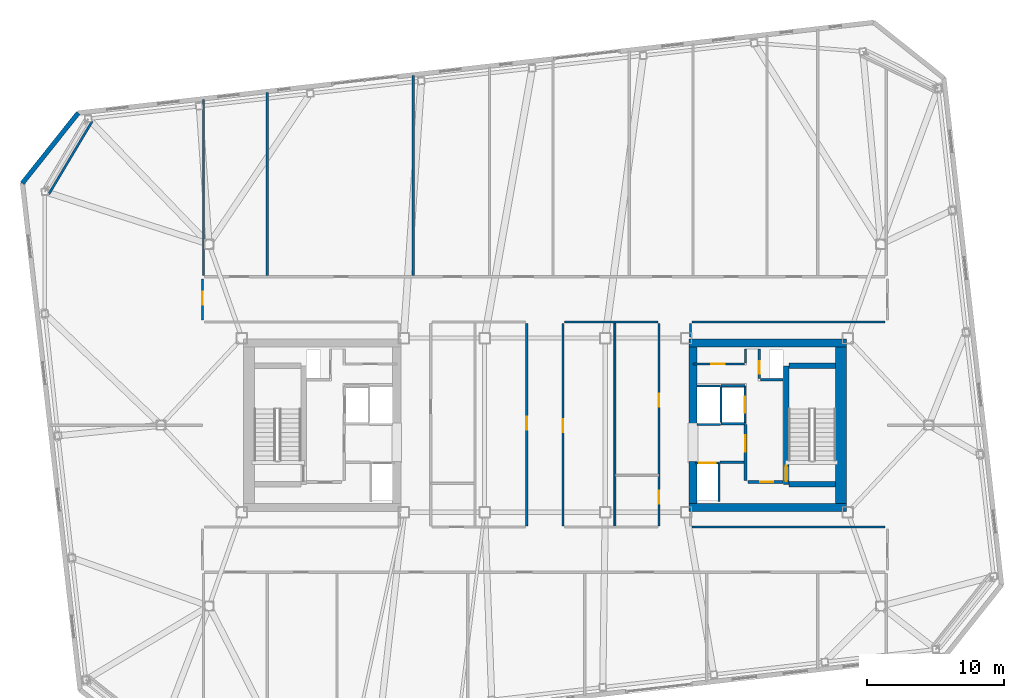
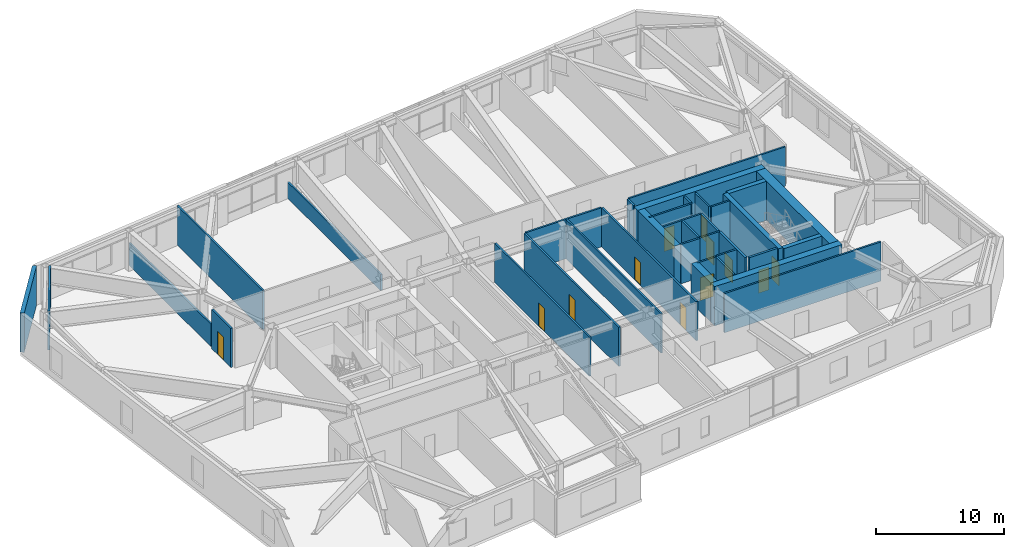
# One storey, part 13 of 18: 37 walls, 12 doors, 12 openings.
"""IFC4 building model written with IfcOpenShell, lengths in metres."""

from ifc_helpers import new_model, si_unit, direction, frame, frame_2d, origin, place, context, subcontext, project, spatial, rectangle, extrude, material, layer, layer_set, type_object, element, fill, save


model = new_model("IFC4")

# Units and contexts
model_context = context("Model", 3, precision=1e-05, world=origin(), true_north=direction((0.0, 1.0)))
body_context = subcontext(model_context, "Body", "Model", "MODEL_VIEW")
ifc_project = project(units=[si_unit("LENGTHUNIT", "METRE"), si_unit("AREAUNIT", "SQUARE_METRE"), si_unit("VOLUMEUNIT", "CUBIC_METRE"), si_unit("PLANEANGLEUNIT", "RADIAN"), si_unit("MASSUNIT", "GRAM", prefix="KILO")], contexts=[model_context])

# Site, building, storey
site_placement = place(None, origin())
site = spatial("IfcSite", under=ifc_project, at=site_placement, CompositionType="ELEMENT")
building_placement = place(site_placement, origin())
building = spatial("IfcBuilding", under=site, at=building_placement, Name="Tavrogorsk Clinical Tower", CompositionType="ELEMENT")
storey_placement = place(building_placement, frame((0.0, 0.0, 226.199951171875)))
storey = spatial("IfcBuildingStorey", under=building, at=storey_placement, Name="L52", CompositionType="ELEMENT", Elevation=226.199951171875)

# Wall, opening, door
ifc_material_1 = material(Name="Concrete B60", Category="concrete")
ifc_layer_1 = layer(ifc_material_1, 0.199951171875)
ifc_layer_set_1 = layer_set([ifc_layer_1], Name="Concrete B60")
wall_type_1 = type_object("IfcWallType", Name="CoreFireWall_200", PredefinedType="SOLIDWALL", material=ifc_layer_set_1)
wall_1_placement = place(storey_placement, frame((14.824951171875, -4.139892578125, 0.0), z_axis=(0.0, 0.0, 1.0), x_axis=(1.0, 0.0, 0.0)))
wall_1 = element("IfcWall", 1, at=wall_1_placement, inside=storey, type_object=wall_type_1, Name="L52 Core East South Core Room Fire Wall", PredefinedType="SOLIDWALL", context=body_context, shape_type="SweptSolid", body=[
    extrude(rectangle(XDim=2.554931640625, YDim=0.199951171875, at=frame_2d((1.27734375, 0.0))), origin(), (0.0, 0.0, 1.0), 3.739990234375),
])
opening_1_placement = place(wall_1_placement, frame((0.8798828125, 0.0, 0.0)))
opening_1 = element("IfcOpeningElement", 2, at=opening_1_placement, cuts=wall_1, Name="Opening ID-02", PredefinedType="OPENING", context=body_context, shape_type="SweptSolid", body=[
    extrude(rectangle(XDim=0.949951171875, YDim=2.199951171875, at=frame_2d((0.47509765625, 1.10009765625))), frame((0.0, 0.10986328125, 0.0), z_axis=(0.0, -1.0, 0.0), x_axis=(1.0, 0.0, 0.0)), (0.0, 0.0, 1.0), 0.219970703125),
])
ifc_material_2 = material(Name="Laminated timber leaf on aluminium frame", Category="wood")
door_type_1 = type_object("IfcDoorType", Name="InteriorDoor_ID02_950", OperationType="NOTDEFINED", PredefinedType="DOOR", material=ifc_material_2)
door_1_placement = place(opening_1_placement, origin())
door_1 = element("IfcDoor", 3, at=door_1_placement, inside=storey, type_object=door_type_1, Name="L52 Core East South Core Room Door", OperationType="SINGLE_SWING_RIGHT", OverallHeight=2.199951171875, OverallWidth=0.949951171875, PredefinedType="DOOR", context=body_context, shape_type="SweptSolid", body=[
    extrude(rectangle(XDim=0.949951171875, YDim=2.199951171875, at=frame_2d((0.47509765625, 1.10009765625))), frame((0.0, 0.02490234375, 0.0), z_axis=(0.0, -1.0, 0.0), x_axis=(1.0, 0.0, 0.0)), (0.0, 0.0, 1.0), 0.050048828125),
])
fill(opening_1, door_1)

wall_2_placement = place(storey_placement, frame((14.639892578125, -4.034912109375, 0.0), z_axis=(0.0, 0.0, 1.0), x_axis=(0.0, 1.0, 0.0)))
wall_2 = element("IfcWall", 4, at=wall_2_placement, inside=storey, type_object=wall_type_1, Name="L52 Core East Firefighting Lobby Fire Wall", PredefinedType="SOLIDWALL", context=body_context, shape_type="SweptSolid", body=[
    extrude(rectangle(XDim=4.074951171875, YDim=0.199951171875, at=frame_2d((2.03759765625, 0.0))), origin(), (0.0, 0.0, 1.0), 3.739990234375),
])
opening_2_placement = place(wall_2_placement, frame((2.090087890625, 0.0, 0.0)))
opening_2 = element("IfcOpeningElement", 5, at=opening_2_placement, cuts=wall_2, Name="Opening FD-01", PredefinedType="OPENING", context=body_context, shape_type="SweptSolid", body=[
    extrude(rectangle(XDim=1.199951171875, YDim=2.199951171875, at=frame_2d((0.60009765625, 1.10009765625))), frame((0.0, 0.10986328125, 0.0), z_axis=(0.0, -1.0, 0.0), x_axis=(1.0, 0.0, 0.0)), (0.0, 0.0, 1.0), 0.219970703125),
])
ifc_material_3 = material(Name="Galvanised steel fire-rated door assembly", Category="steel")
door_type_2 = type_object("IfcDoorType", Name="FireDoor_FD01_1200", OperationType="NOTDEFINED", PredefinedType="DOOR", material=ifc_material_3)
door_2_placement = place(opening_2_placement, origin())
door_2 = element("IfcDoor", 6, at=door_2_placement, inside=storey, type_object=door_type_2, Name="L52 Core East Firefighting Lobby Entry Door", OperationType="SINGLE_SWING_RIGHT", OverallHeight=2.199951171875, OverallWidth=1.199951171875, PredefinedType="DOOR", context=body_context, shape_type="SweptSolid", body=[
    extrude(rectangle(XDim=1.199951171875, YDim=2.199951171875, at=frame_2d((0.60009765625, 1.10009765625))), frame((0.0, 0.02490234375, 0.0), z_axis=(0.0, -1.0, 0.0), x_axis=(1.0, 0.0, 0.0)), (0.0, 0.0, 1.0), 0.050048828125),
])
fill(opening_2, door_2)

# Walls
ifc_material_4 = material(Name="Lightweight concrete blockwork B15", Category="masonry")
ifc_layer_2 = layer(ifc_material_4, 0.139892578125)
ifc_layer_set_2 = layer_set([ifc_layer_2], Name="Lightweight concrete blockwork B15")
wall_type_2 = type_object("IfcWallType", Name="PartitionWall_140", PredefinedType="PARTITIONING", material=ifc_layer_set_2)
wall_3_placement = place(storey_placement, frame((5.10009765625, -7.4150390625, 0.0), z_axis=(0.0, 0.0, 1.0), x_axis=(0.0, 1.0, 0.0)))
element("IfcWall", 7, at=wall_3_placement, inside=storey, type_object=wall_type_2, Name="L52 Central Spine Partition 2", PredefinedType="PARTITIONING", context=body_context, shape_type="SweptSolid", body=[
    extrude(rectangle(XDim=14.929931640625, YDim=0.139892578125, at=frame_2d((7.46484375, 0.0))), origin(), (0.0, 0.0, 1.0), 3.739990234375),
])
ifc_material_5 = material(Name="Lightweight concrete blockwork B15", Category="masonry")
ifc_layer_3 = layer(ifc_material_5, 0.159912109375)
ifc_layer_set_3 = layer_set([ifc_layer_3], Name="Lightweight concrete blockwork B15")
wall_type_3 = type_object("IfcWallType", Name="PartitionWall_160", PredefinedType="PARTITIONING", material=ifc_layer_set_3)
wall_4_placement = place(storey_placement, frame((12.77490234375, -2.699951171875, 0.0), z_axis=(0.0, 0.0, 1.0), x_axis=(1.0, 0.0, 0.0)))
element("IfcWall", 8, at=wall_4_placement, inside=storey, type_object=wall_type_3, Name="L52 Core East Freed Low-Bank North Partition", PredefinedType="PARTITIONING", context=body_context, shape_type="SweptSolid", body=[
    extrude(rectangle(XDim=1.760009765625, YDim=0.159912109375, at=frame_2d((0.8798828125, 0.0))), origin(), (0.0, 0.0, 1.0), 3.739990234375),
])

# Wall, opening, door
wall_5_placement = place(storey_placement, frame((10.800048828125, 4.4599609375, 0.0), z_axis=(0.0, 0.0, 1.0), x_axis=(1.0, 0.0, 0.0)))
wall_5 = element("IfcWall", 9, at=wall_5_placement, inside=storey, type_object=wall_type_3, Name="L52 Core East Pneumatic Dispatch South Wall", PredefinedType="PARTITIONING", context=body_context, shape_type="SweptSolid", body=[
    extrude(rectangle(XDim=3.7548828125, YDim=0.159912109375, at=frame_2d((1.87744140625, 0.0))), origin(), (0.0, 0.0, 1.0), 3.739990234375),
])
opening_3_placement = place(wall_5_placement, frame((1.35009765625, 0.0, 0.0)))
opening_3 = element("IfcOpeningElement", 10, at=opening_3_placement, cuts=wall_5, Name="Opening ID-02", PredefinedType="OPENING", context=body_context, shape_type="SweptSolid", body=[
    extrude(rectangle(XDim=0.949951171875, YDim=2.199951171875, at=frame_2d((0.47509765625, 1.10009765625))), frame((0.0, 0.08984375, 0.0), z_axis=(0.0, -1.0, 0.0), x_axis=(1.0, 0.0, 0.0)), (0.0, 0.0, 1.0), 0.179931640625),
])
door_3_placement = place(opening_3_placement, origin())
door_3 = element("IfcDoor", 11, at=door_3_placement, inside=storey, type_object=door_type_1, Name="L52 Core East Pneumatic Dispatch Door", OperationType="SINGLE_SWING_LEFT", OverallHeight=2.199951171875, OverallWidth=0.949951171875, PredefinedType="DOOR", context=body_context, shape_type="SweptSolid", body=[
    extrude(rectangle(XDim=0.949951171875, YDim=2.199951171875, at=frame_2d((0.47509765625, 1.10009765625))), frame((0.0, 0.02490234375, 0.0), z_axis=(0.0, -1.0, 0.0), x_axis=(1.0, 0.0, 0.0)), (0.0, 0.0, 1.0), 0.050048828125),
])
fill(opening_3, door_3)

# Walls
wall_6_placement = place(storey_placement, frame((14.639892578125, 4.544921875, 0.0), z_axis=(0.0, 0.0, 1.0), x_axis=(0.0, 1.0, 0.0)))
element("IfcWall", 12, at=wall_6_placement, inside=storey, type_object=wall_type_3, Name="L52 Core East Pneumatic Dispatch East Wall", PredefinedType="PARTITIONING", context=body_context, shape_type="SweptSolid", body=[
    extrude(rectangle(XDim=1.01513671875, YDim=0.159912109375, at=frame_2d((0.507568359375, 0.0))), origin(), (0.0, 0.0, 1.0), 3.739990234375),
])
wall_7_placement = place(storey_placement, frame((-33.016357421875, 22.17138671875, 0.0), z_axis=(0.0, 0.0, 1.0), x_axis=(-0.511385266265, -0.859351563359, 0.0)))
element("IfcWall", 13, at=wall_7_placement, inside=storey, type_object=wall_type_3, Name="L52 Corner Exoskeleton Brace Furring Wall 3", PredefinedType="PARTITIONING", context=body_context, shape_type="SweptSolid", body=[
    extrude(rectangle(XDim=6.181884765625, YDim=0.159912109375, at=frame_2d((3.0908203125, 0.0))), origin(), (0.0, 0.0, 1.0), 3.739990234375),
])

# Wall, opening, door
wall_8_placement = place(storey_placement, frame((-24.97998046875, 7.68505859375, 0.0), z_axis=(0.0, 0.0, 1.0), x_axis=(0.0, 1.0, 0.0)))
wall_8 = element("IfcWall", 14, at=wall_8_placement, inside=storey, type_object=wall_type_3, Name="L52 Corridor Partition 06", PredefinedType="PARTITIONING", context=body_context, shape_type="SweptSolid", body=[
    extrude(rectangle(XDim=2.97998046875, YDim=0.159912109375, at=frame_2d((1.489990234375, 0.0))), origin(), (0.0, 0.0, 1.0), 3.739990234375),
])
opening_4_placement = place(wall_8_placement, frame((1.10009765625, 0.0, 0.0)))
opening_4 = element("IfcOpeningElement", 15, at=opening_4_placement, cuts=wall_8, Name="Opening ID-02", PredefinedType="OPENING", context=body_context, shape_type="SweptSolid", body=[
    extrude(rectangle(XDim=0.949951171875, YDim=2.199951171875, at=frame_2d((0.47509765625, 1.10009765625))), frame((0.0, 0.08984375, 0.0), z_axis=(0.0, -1.0, 0.0), x_axis=(1.0, 0.0, 0.0)), (0.0, 0.0, 1.0), 0.179931640625),
])
door_4_placement = place(opening_4_placement, origin())
door_4 = element("IfcDoor", 16, at=door_4_placement, inside=storey, type_object=door_type_1, Name="L52 W Rehabilitation Therapy Suite 2 Door", OperationType="SINGLE_SWING_RIGHT", OverallHeight=2.199951171875, OverallWidth=0.949951171875, PredefinedType="DOOR", context=body_context, shape_type="SweptSolid", body=[
    extrude(rectangle(XDim=0.949951171875, YDim=2.199951171875, at=frame_2d((0.47509765625, 1.10009765625))), frame((0.0, 0.02490234375, 0.0), z_axis=(0.0, -1.0, 0.0), x_axis=(1.0, 0.0, 0.0)), (0.0, 0.0, 1.0), 0.050048828125),
])
fill(opening_4, door_4)

# Walls
wall_9_placement = place(storey_placement, frame((24.81494140625, 7.52001953125, 0.0), z_axis=(0.0, 0.0, 1.0), x_axis=(-1.0, 0.0, 0.0)))
element("IfcWall", 17, at=wall_9_placement, inside=storey, type_object=wall_type_3, Name="L52 Corridor Partition 09", PredefinedType="PARTITIONING", context=body_context, shape_type="SweptSolid", body=[
    extrude(rectangle(XDim=14.099853515625, YDim=0.159912109375, at=frame_2d((7.0498046875, 0.0))), origin(), (0.0, 0.0, 1.0), 3.739990234375),
])
wall_10_placement = place(storey_placement, frame((10.6298828125, 7.43505859375, 0.0), z_axis=(0.0, 0.0, 1.0), x_axis=(0.0, -1.0, 0.0)))
element("IfcWall", 18, at=wall_10_placement, inside=storey, type_object=wall_type_3, Name="L52 Corridor Partition 10", PredefinedType="PARTITIONING", context=body_context, shape_type="SweptSolid", body=[
    extrude(rectangle(XDim=1.01513671875, YDim=0.159912109375, at=frame_2d((0.507568359375, 0.0))), origin(), (0.0, 0.0, 1.0), 3.739990234375),
])
wall_11_placement = place(storey_placement, frame((10.715087890625, -7.419921875, 0.0), z_axis=(0.0, 0.0, 1.0), x_axis=(1.0, 0.0, 0.0)))
element("IfcWall", 19, at=wall_11_placement, inside=storey, type_object=wall_type_3, Name="L52 Corridor Partition 12", PredefinedType="PARTITIONING", context=body_context, shape_type="SweptSolid", body=[
    extrude(rectangle(XDim=14.099853515625, YDim=0.159912109375, at=frame_2d((7.0498046875, 0.0))), origin(), (0.0, 0.0, 1.0), 3.739990234375),
])
wall_12_placement = place(storey_placement, frame((8.235107421875, 7.52001953125, 0.0), z_axis=(0.0, 0.0, 1.0), x_axis=(-1.0, 0.0, 0.0)))
element("IfcWall", 20, at=wall_12_placement, inside=storey, type_object=wall_type_3, Name="L52 Corridor Partition 15", PredefinedType="PARTITIONING", context=body_context, shape_type="SweptSolid", body=[
    extrude(rectangle(XDim=6.820068359375, YDim=0.159912109375, at=frame_2d((3.41015625, 0.0))), origin(), (0.0, 0.0, 1.0), 3.739990234375),
])

# Wall, opening, door
wall_13_placement = place(storey_placement, frame((1.330078125, 7.43505859375, 0.0), z_axis=(0.0, 0.0, 1.0), x_axis=(0.0, -1.0, 0.0)))
wall_13 = element("IfcWall", 21, at=wall_13_placement, inside=storey, type_object=wall_type_3, Name="L52 Corridor Partition 16", PredefinedType="PARTITIONING", context=body_context, shape_type="SweptSolid", body=[
    extrude(rectangle(XDim=14.77001953125, YDim=0.159912109375, at=frame_2d((7.385009765625, 0.0))), origin(), (0.0, 0.0, 1.0), 3.739990234375),
])
opening_5_placement = place(wall_13_placement, frame((6.9951171875, 0.0, 0.0)))
opening_5 = element("IfcOpeningElement", 22, at=opening_5_placement, cuts=wall_13, Name="Opening ID-02", PredefinedType="OPENING", context=body_context, shape_type="SweptSolid", body=[
    extrude(rectangle(XDim=0.949951171875, YDim=2.199951171875, at=frame_2d((0.47509765625, 1.10009765625))), frame((0.0, 0.08984375, 0.0), z_axis=(0.0, -1.0, 0.0), x_axis=(1.0, 0.0, 0.0)), (0.0, 0.0, 1.0), 0.179931640625),
])
door_5_placement = place(opening_5_placement, origin())
door_5 = element("IfcDoor", 23, at=door_5_placement, inside=storey, type_object=door_type_1, Name="L52 Clean Medication Preparation Room Door", OperationType="SINGLE_SWING_RIGHT", OverallHeight=2.199951171875, OverallWidth=0.949951171875, PredefinedType="DOOR", context=body_context, shape_type="SweptSolid", body=[
    extrude(rectangle(XDim=0.949951171875, YDim=2.199951171875, at=frame_2d((0.47509765625, 1.10009765625))), frame((0.0, 0.02490234375, 0.0), z_axis=(0.0, -1.0, 0.0), x_axis=(1.0, 0.0, 0.0)), (0.0, 0.0, 1.0), 0.050048828125),
])
fill(opening_5, door_5)

# Wall, openings, doors
wall_14_placement = place(storey_placement, frame((8.320068359375, -7.3349609375, 0.0), z_axis=(0.0, 0.0, 1.0), x_axis=(0.0, 1.0, 0.0)))
wall_14 = element("IfcWall", 24, at=wall_14_placement, inside=storey, type_object=wall_type_3, Name="L52 Corridor Partition 18", PredefinedType="PARTITIONING", context=body_context, shape_type="SweptSolid", body=[
    extrude(rectangle(XDim=14.77001953125, YDim=0.159912109375, at=frame_2d((7.385009765625, 0.0))), origin(), (0.0, 0.0, 1.0), 3.739990234375),
])
opening_6_placement = place(wall_14_placement, frame((1.60400390625, 0.0, 0.0)))
opening_6 = element("IfcOpeningElement", 25, at=opening_6_placement, cuts=wall_14, Name="Opening ID-02", PredefinedType="OPENING", context=body_context, shape_type="SweptSolid", body=[
    extrude(rectangle(XDim=0.949951171875, YDim=2.199951171875, at=frame_2d((0.47509765625, 1.10009765625))), frame((0.0, 0.08984375, 0.0), z_axis=(0.0, -1.0, 0.0), x_axis=(1.0, 0.0, 0.0)), (0.0, 0.0, 1.0), 0.179931640625),
])
opening_7_placement = place(wall_14_placement, frame((8.685791015625, 0.0, 0.0)))
opening_7 = element("IfcOpeningElement", 26, at=opening_7_placement, cuts=wall_14, Name="Opening ID-02", PredefinedType="OPENING", context=body_context, shape_type="SweptSolid", body=[
    extrude(rectangle(XDim=0.949951171875, YDim=2.199951171875, at=frame_2d((0.47509765625, 1.10009765625))), frame((0.0, 0.08984375, 0.0), z_axis=(0.0, -1.0, 0.0), x_axis=(1.0, 0.0, 0.0)), (0.0, 0.0, 1.0), 0.179931640625),
])
door_6_placement = place(opening_6_placement, origin())
door_6 = element("IfcDoor", 27, at=door_6_placement, inside=storey, type_object=door_type_1, Name="L52 Staff & Visitor Accessible WC Door", OperationType="SINGLE_SWING_LEFT", OverallHeight=2.199951171875, OverallWidth=0.949951171875, PredefinedType="DOOR", context=body_context, shape_type="SweptSolid", body=[
    extrude(rectangle(XDim=0.949951171875, YDim=2.199951171875, at=frame_2d((0.47509765625, 1.10009765625))), frame((0.0, 0.02490234375, 0.0), z_axis=(0.0, -1.0, 0.0), x_axis=(1.0, 0.0, 0.0)), (0.0, 0.0, 1.0), 0.050048828125),
])
fill(opening_6, door_6)
door_7_placement = place(opening_7_placement, origin())
door_7 = element("IfcDoor", 28, at=door_7_placement, inside=storey, type_object=door_type_1, Name="L52 Resident Clinician Study Door", OperationType="SINGLE_SWING_RIGHT", OverallHeight=2.199951171875, OverallWidth=0.949951171875, PredefinedType="DOOR", context=body_context, shape_type="SweptSolid", body=[
    extrude(rectangle(XDim=0.949951171875, YDim=2.199951171875, at=frame_2d((0.47509765625, 1.10009765625))), frame((0.0, 0.02490234375, 0.0), z_axis=(0.0, -1.0, 0.0), x_axis=(1.0, 0.0, 0.0)), (0.0, 0.0, 1.0), 0.050048828125),
])
fill(opening_7, door_7)

# Wall, opening, door
wall_15_placement = place(storey_placement, frame((-1.330078125, -7.3349609375, 0.0), z_axis=(0.0, 0.0, 1.0), x_axis=(0.0, 1.0, 0.0)))
wall_15 = element("IfcWall", 29, at=wall_15_placement, inside=storey, type_object=wall_type_3, Name="L52 Corridor Partition 19", PredefinedType="PARTITIONING", context=body_context, shape_type="SweptSolid", body=[
    extrude(rectangle(XDim=14.77001953125, YDim=0.159912109375, at=frame_2d((7.385009765625, 0.0))), origin(), (0.0, 0.0, 1.0), 3.739990234375),
])
opening_8_placement = place(wall_15_placement, frame((6.9951171875, 0.0, 0.0)))
opening_8 = element("IfcOpeningElement", 30, at=opening_8_placement, cuts=wall_15, Name="Opening ID-02", PredefinedType="OPENING", context=body_context, shape_type="SweptSolid", body=[
    extrude(rectangle(XDim=0.949951171875, YDim=2.199951171875, at=frame_2d((0.47509765625, 1.10009765625))), frame((0.0, 0.08984375, 0.0), z_axis=(0.0, -1.0, 0.0), x_axis=(1.0, 0.0, 0.0)), (0.0, 0.0, 1.0), 0.179931640625),
])
door_8_placement = place(opening_8_placement, origin())
door_8 = element("IfcDoor", 31, at=door_8_placement, inside=storey, type_object=door_type_1, Name="L52 Nurses' Station & Telemetry Hub Door", OperationType="SINGLE_SWING_LEFT", OverallHeight=2.199951171875, OverallWidth=0.949951171875, PredefinedType="DOOR", context=body_context, shape_type="SweptSolid", body=[
    extrude(rectangle(XDim=0.949951171875, YDim=2.199951171875, at=frame_2d((0.47509765625, 1.10009765625))), frame((0.0, 0.02490234375, 0.0), z_axis=(0.0, -1.0, 0.0), x_axis=(1.0, 0.0, 0.0)), (0.0, 0.0, 1.0), 0.050048828125),
])
fill(opening_8, door_8)

# Walls
wall_16_placement = place(storey_placement, frame((-24.89990234375, 10.9150390625, 0.0), z_axis=(0.0, 0.0, 1.0), x_axis=(0.0, 1.0, 0.0)))
element("IfcWall", 32, at=wall_16_placement, inside=storey, type_object=wall_type_3, Name="L52 NW Wing Closure Partition", PredefinedType="PARTITIONING", context=body_context, shape_type="SweptSolid", body=[
    extrude(rectangle(XDim=12.831298828125, YDim=0.159912109375, at=frame_2d((6.41552734375, 0.0))), origin(), (0.0, 0.0, 1.0), 2.135009765625),
])
wall_17_placement = place(storey_placement, frame((-20.25, 10.9150390625, 0.0), z_axis=(0.0, 0.0, 1.0), x_axis=(0.0, 1.0, 0.0)))
element("IfcWall", 33, at=wall_17_placement, inside=storey, type_object=wall_type_3, Name="L52 North Room Partition 1", PredefinedType="PARTITIONING", context=body_context, shape_type="SweptSolid", body=[
    extrude(rectangle(XDim=13.361083984375, YDim=0.159912109375, at=frame_2d((6.6806640625, 0.0))), origin(), (0.0, 0.0, 1.0), 3.739990234375),
])
wall_18_placement = place(storey_placement, frame((-9.60009765625, 10.9150390625, 0.0), z_axis=(0.0, 0.0, 1.0), x_axis=(0.0, 1.0, 0.0)))
element("IfcWall", 34, at=wall_18_placement, inside=storey, type_object=wall_type_3, Name="L52 North Room Partition 2", PredefinedType="PARTITIONING", context=body_context, shape_type="SweptSolid", body=[
    extrude(rectangle(XDim=14.574462890625, YDim=0.159912109375, at=frame_2d((7.287109375, 0.0))), origin(), (0.0, 0.0, 1.0), 1.53515625),
])
ifc_material_6 = material(Name="Precast concrete B45 with limestone cladding", Category="masonry")
ifc_layer_4 = layer(ifc_material_6, 0.340087890625)
ifc_layer_set_4 = layer_set([ifc_layer_4], Name="Precast concrete B45 with limestone cladding")
wall_type_4 = type_object("IfcWallType", Name="PrecastLimestoneWall_340", PredefinedType="STANDARD", material=ifc_layer_set_4)
wall_19_placement = place(storey_placement, frame((-34.0419921875, 22.775146484375, 0.0), z_axis=(0.0, 0.0, 1.0), x_axis=(-0.62252823689, -0.78259733853, 0.0)))
element("IfcWall", 35, at=wall_19_placement, inside=storey, type_object=wall_type_4, Name="L52 Chamfered Corner Wall 3", PredefinedType="STANDARD", context=body_context, shape_type="SweptSolid", body=[
    extrude(rectangle(XDim=6.5478515625, YDim=0.340087890625, at=frame_2d((3.27392578125, 0.0))), origin(), (0.0, 0.0, 1.0), 3.739990234375),
])

# Wall, opening, door
ifc_material_7 = material(Name="Lightweight concrete blockwork B25", Category="masonry")
ifc_layer_5 = layer(ifc_material_7, 0.159912109375)
ifc_layer_set_5 = layer_set([ifc_layer_5], Name="Lightweight concrete blockwork B25")
wall_type_5 = type_object("IfcWallType", Name="ShaftWall_160", PredefinedType="PARTITIONING", material=ifc_layer_set_5)
wall_20_placement = place(storey_placement, frame((14.60009765625, 0.1201171875, 0.0), z_axis=(0.0, 0.0, 1.0), x_axis=(0.0, 1.0, 0.0)))
wall_20 = element("IfcWall", 36, at=wall_20_placement, inside=storey, type_object=wall_type_5, Name="L52 FFL-E Firefighting Lift Front Wall", PredefinedType="PARTITIONING", context=body_context, shape_type="SweptSolid", body=[
    extrude(rectangle(XDim=2.739990234375, YDim=0.159912109375, at=frame_2d((1.3701171875, 0.0))), origin(), (0.0, 0.0, 1.0), 3.739990234375),
])
opening_9_placement = place(wall_20_placement, frame((0.77001953125, 0.0, 0.0)))
opening_9 = element("IfcOpeningElement", 37, at=opening_9_placement, cuts=wall_20, Name="Opening LD", PredefinedType="OPENING", context=body_context, shape_type="SweptSolid", body=[
    extrude(rectangle(XDim=1.199951171875, YDim=2.199951171875, at=frame_2d((0.60009765625, 1.10009765625))), frame((0.0, 0.08984375, 0.0), z_axis=(0.0, -1.0, 0.0), x_axis=(1.0, 0.0, 0.0)), (0.0, 0.0, 1.0), 0.179931640625),
])
ifc_material_8 = material(Name="Brushed stainless steel AISI 304 sliding doors", Category="steel")
door_type_3 = type_object("IfcDoorType", Name="LiftLandingDoor_LD_1200", OperationType="SLIDING_TO_LEFT", PredefinedType="DOOR", material=ifc_material_8)
door_9_placement = place(opening_9_placement, origin())
door_9 = element("IfcDoor", 38, at=door_9_placement, inside=storey, type_object=door_type_3, Name="L52 FFL-E Sliding Lift Landing Door", OperationType="SLIDING_TO_LEFT", OverallHeight=2.199951171875, OverallWidth=1.199951171875, PredefinedType="DOOR", context=body_context, shape_type="SweptSolid", body=[
    extrude(rectangle(XDim=1.199951171875, YDim=2.199951171875, at=frame_2d((0.60009765625, 1.10009765625))), frame((0.0, 0.02490234375, 0.0), z_axis=(0.0, -1.0, 0.0), x_axis=(1.0, 0.0, 0.0)), (0.0, 0.0, 1.0), 0.050048828125),
])
fill(opening_9, door_9)

# Walls
for number, where, z_axis, x_axis, name in (
    (39, (12.840087890625, 0.10009765625, 0.0), (0.0, 0.0, 1.0), (1.0, 0.0, 0.0), "L52 FFL-E Shaft South Wall"),
    (40, (12.840087890625, 2.8798828125, 0.0), (0.0, 0.0, 1.0), (1.0, 0.0, 0.0), "L52 FFL-E Shaft North Wall"),
):
    element("IfcWall", number, at=place(storey_placement, frame(where, z_axis=z_axis, x_axis=x_axis)), inside=storey, type_object=wall_type_5, Name=name, PredefinedType="PARTITIONING", context=body_context, shape_type="SweptSolid", body=[
        extrude(rectangle(XDim=1.760009765625, YDim=0.159912109375, at=frame_2d((0.8798828125, 0.0))), origin(), (0.0, 0.0, 1.0), 3.739990234375),
    ])
wall_21_placement = place(storey_placement, frame((12.840087890625, 0.179931640625, 0.0), z_axis=(0.0, 0.0, 1.0), x_axis=(0.0, 1.0, 0.0)))
element("IfcWall", 41, at=wall_21_placement, inside=storey, type_object=wall_type_5, Name="L52 FFL-E Shaft Back Wall", PredefinedType="PARTITIONING", context=body_context, shape_type="SweptSolid", body=[
    extrude(rectangle(XDim=2.6201171875, YDim=0.159912109375, at=frame_2d((1.31005859375, 0.0))), origin(), (0.0, 0.0, 1.0), 3.739990234375),
])

# Wall, opening, door
wall_22_placement = place(storey_placement, frame((10.969970703125, -2.75, 0.0), z_axis=(0.0, 0.0, 1.0), x_axis=(1.0, 0.0, 0.0)))
wall_22 = element("IfcWall", 42, at=wall_22_placement, inside=storey, type_object=wall_type_5, Name="L52 LP-M2 Lift Shaft Portal Wall", PredefinedType="PARTITIONING", context=body_context, shape_type="SweptSolid", body=[
    extrude(rectangle(XDim=1.760009765625, YDim=0.159912109375, at=frame_2d((0.8798828125, 0.0))), origin(), (0.0, 0.0, 1.0), 3.739990234375),
])
opening_10_placement = place(wall_22_placement, frame((0.280029296875, 0.0, 0.0)))
opening_10 = element("IfcOpeningElement", 43, at=opening_10_placement, cuts=wall_22, Name="Opening LD", PredefinedType="OPENING", context=body_context, shape_type="SweptSolid", body=[
    extrude(rectangle(XDim=1.199951171875, YDim=2.199951171875, at=frame_2d((0.60009765625, 1.10009765625))), frame((0.0, 0.08984375, 0.0), z_axis=(0.0, -1.0, 0.0), x_axis=(1.0, 0.0, 0.0)), (0.0, 0.0, 1.0), 0.179931640625),
])
door_10_placement = place(opening_10_placement, origin())
door_10 = element("IfcDoor", 44, at=door_10_placement, inside=storey, type_object=door_type_3, Name="L52 LP-M2 Sliding Lift Landing Door", OperationType="SLIDING_TO_LEFT", OverallHeight=2.199951171875, OverallWidth=1.199951171875, PredefinedType="DOOR", context=body_context, shape_type="SweptSolid", body=[
    extrude(rectangle(XDim=1.199951171875, YDim=2.199951171875, at=frame_2d((0.60009765625, 1.10009765625))), frame((0.0, 0.02490234375, 0.0), z_axis=(0.0, -1.0, 0.0), x_axis=(1.0, 0.0, 0.0)), (0.0, 0.0, 1.0), 0.050048828125),
])
fill(opening_10, door_10)

# Walls
for number, where, z_axis, x_axis, name in (
    (45, (11.10009765625, 0.06005859375, 0.0), (0.0, 0.0, 1.0), (1.0, 0.0, 0.0), "L52 LP-H2 High-Zone Lift Portal Wall"),
    (46, (11.10009765625, 2.860107421875, 0.0), (0.0, 0.0, 1.0), (1.0, 0.0, 0.0), "L52 LP-H2 High-Zone Lift Rear Wall"),
):
    element("IfcWall", number, at=place(storey_placement, frame(where, z_axis=z_axis, x_axis=x_axis)), inside=storey, type_object=wall_type_5, Name=name, PredefinedType="PARTITIONING", context=body_context, shape_type="SweptSolid", body=[
        extrude(rectangle(XDim=1.719970703125, YDim=0.159912109375, at=frame_2d((0.85986328125, 0.0))), origin(), (0.0, 0.0, 1.0), 3.739990234375),
    ])

# Wall, opening, door
wall_23_placement = place(storey_placement, frame((15.639892578125, 3.405029296875, 0.0), z_axis=(0.0, 0.0, 1.0), x_axis=(0.0, 1.0, 0.0)))
wall_23 = element("IfcWall", 47, at=wall_23_placement, inside=storey, type_object=wall_type_5, Name="L52 Core East Riser West Wall", PredefinedType="PARTITIONING", context=body_context, shape_type="SweptSolid", body=[
    extrude(rectangle(XDim=2.155029296875, YDim=0.159912109375, at=frame_2d((1.07763671875, 0.0))), origin(), (0.0, 0.0, 1.0), 3.739990234375),
])
opening_11_placement = place(wall_23_placement, frame((0.35009765625, 0.0, 0.0)))
opening_11 = element("IfcOpeningElement", 48, at=opening_11_placement, cuts=wall_23, Name="Opening FD-02", PredefinedType="OPENING", context=body_context, shape_type="SweptSolid", body=[
    extrude(rectangle(XDim=0.89990234375, YDim=2.199951171875, at=frame_2d((0.449951171875, 1.10009765625))), frame((0.0, 0.08984375, 0.0), z_axis=(0.0, -1.0, 0.0), x_axis=(1.0, 0.0, 0.0)), (0.0, 0.0, 1.0), 0.179931640625),
])
ifc_material_9 = material(Name="Galvanised steel fire-rated door assembly", Category="steel")
door_type_4 = type_object("IfcDoorType", Name="FireDoor_FD02_900", OperationType="NOTDEFINED", PredefinedType="DOOR", material=ifc_material_9)
door_11_placement = place(opening_11_placement, origin())
door_11 = element("IfcDoor", 49, at=door_11_placement, inside=storey, type_object=door_type_4, Name="L52 Core East Electrical Riser Access Door", OperationType="SINGLE_SWING_LEFT", OverallHeight=2.199951171875, OverallWidth=0.89990234375, PredefinedType="DOOR", context=body_context, shape_type="SweptSolid", body=[
    extrude(rectangle(XDim=0.89990234375, YDim=2.199951171875, at=frame_2d((0.449951171875, 1.10009765625))), frame((0.0, 0.02490234375, 0.0), z_axis=(0.0, -1.0, 0.0), x_axis=(1.0, 0.0, 0.0)), (0.0, 0.0, 1.0), 0.050048828125),
])
fill(opening_11, door_11)

# Walls
wall_24_placement = place(storey_placement, frame((15.72509765625, 3.320068359375, 0.0), z_axis=(0.0, 0.0, 1.0), x_axis=(1.0, 0.0, 0.0)))
element("IfcWall", 50, at=wall_24_placement, inside=storey, type_object=wall_type_5, Name="L52 Core East Riser South Wall", PredefinedType="PARTITIONING", context=body_context, shape_type="SweptSolid", body=[
    extrude(rectangle(XDim=1.65478515625, YDim=0.159912109375, at=frame_2d((0.827392578125, 0.0))), origin(), (0.0, 0.0, 1.0), 3.739990234375),
])
wall_25_placement = place(storey_placement, frame((12.68994140625, -5.56005859375, 0.0), z_axis=(0.0, 0.0, 1.0), x_axis=(0.0, 1.0, 0.0)))
element("IfcWall", 51, at=wall_25_placement, inside=storey, type_object=wall_type_5, Name="L52 Core East Freed Low-Bank Shaft Divider", PredefinedType="PARTITIONING", context=body_context, shape_type="SweptSolid", body=[
    extrude(rectangle(XDim=2.775146484375, YDim=0.159912109375, at=frame_2d((1.3876953125, 0.0))), origin(), (0.0, 0.0, 1.0), 3.739990234375),
])

# Wall, opening, door
ifc_material_10 = material(Name="Concrete B80", Category="concrete")
ifc_layer_6 = layer(ifc_material_10, 0.39990234375)
ifc_layer_set_6 = layer_set([ifc_layer_6], Name="Concrete B80")
wall_type_6 = type_object("IfcWallType", Name="ShearWall_400", PredefinedType="SHEAR", material=ifc_layer_set_6)
wall_26_placement = place(storey_placement, frame((17.60009765625, -4.324951171875, 0.0), z_axis=(0.0, 0.0, 1.0), x_axis=(0.0, 1.0, 0.0)))
wall_26 = element("IfcWall", 52, at=wall_26_placement, inside=storey, type_object=wall_type_6, Name="L52 Core East Stair Shaft Inner Shear Wall", PredefinedType="SHEAR", context=body_context, shape_type="SweptSolid", body=[
    extrude(rectangle(XDim=8.64990234375, YDim=0.39990234375, at=frame_2d((4.324951171875, 0.0))), origin(), (0.0, 0.0, 1.0), 3.739990234375),
])
opening_12_placement = place(wall_26_placement, frame((0.25, 0.0, 0.0)))
opening_12 = element("IfcOpeningElement", 53, at=opening_12_placement, cuts=wall_26, Name="Opening SD-01", PredefinedType="OPENING", context=body_context, shape_type="SweptSolid", body=[
    extrude(rectangle(XDim=1.10009765625, YDim=2.199951171875, at=frame_2d((0.550048828125, 1.10009765625))), frame((0.0, 0.2099609375, 0.0), z_axis=(0.0, -1.0, 0.0), x_axis=(1.0, 0.0, 0.0)), (0.0, 0.0, 1.0), 0.419921875),
])
ifc_material_11 = material(Name="Galvanised steel smoke-tight fire door assembly", Category="steel")
door_type_5 = type_object("IfcDoorType", Name="StairFireDoor_SD01_1100", OperationType="NOTDEFINED", PredefinedType="DOOR", material=ifc_material_11)
door_12_placement = place(opening_12_placement, origin())
door_12 = element("IfcDoor", 54, at=door_12_placement, inside=storey, type_object=door_type_5, Name="L52 ST-E Exit Stair Door", OperationType="SINGLE_SWING_RIGHT", OverallHeight=2.199951171875, OverallWidth=1.10009765625, PredefinedType="DOOR", context=body_context, shape_type="SweptSolid", body=[
    extrude(rectangle(XDim=1.10009765625, YDim=2.199951171875, at=frame_2d((0.550048828125, 1.10009765625))), frame((0.0, 0.02490234375, 0.0), z_axis=(0.0, -1.0, 0.0), x_axis=(1.0, 0.0, 0.0)), (0.0, 0.0, 1.0), 0.050048828125),
])
fill(opening_12, door_12)

# Walls
for number, where, z_axis, x_axis, name in (
    (55, (17.800048828125, -4.324951171875, 0.0), (0.0, 0.0, 1.0), (1.0, 0.0, 0.0), "L52 Core East Stair Shaft South Shear Wall"),
    (56, (17.800048828125, 4.324951171875, 0.0), (0.0, 0.0, 1.0), (1.0, 0.0, 0.0), "L52 Core East Stair Shaft North Shear Wall"),
):
    element("IfcWall", number, at=place(storey_placement, frame(where, z_axis=z_axis, x_axis=x_axis)), inside=storey, type_object=wall_type_6, Name=name, PredefinedType="SHEAR", context=body_context, shape_type="SweptSolid", body=[
        extrude(rectangle(XDim=3.39990234375, YDim=0.39990234375, at=frame_2d((1.699951171875, 0.0))), origin(), (0.0, 0.0, 1.0), 3.739990234375),
    ])
ifc_material_12 = material(Name="Concrete B80", Category="concrete")
ifc_layer_7 = layer(ifc_material_12, 0.60009765625)
ifc_layer_set_7 = layer_set([ifc_layer_7], Name="Concrete B80")
wall_type_7 = type_object("IfcWallType", Name="ShearWall_600", PredefinedType="SHEAR", material=ifc_layer_set_7)
for number, where, z_axis, x_axis, name in (
    (57, (10.5, 6.0, 0.0), (0.0, 0.0, 1.0), (1.0, 0.0, 0.0), "L52 Core East North Shear Wall"),
    (58, (10.5, -6.0, 0.0), (0.0, 0.0, 1.0), (1.0, 0.0, 0.0), "L52 Core East South Shear Wall"),
):
    element("IfcWall", number, at=place(storey_placement, frame(where, z_axis=z_axis, x_axis=x_axis)), inside=storey, type_object=wall_type_7, Name=name, PredefinedType="SHEAR", context=body_context, shape_type="SweptSolid", body=[
        extrude(rectangle(XDim=11.5, YDim=0.60009765625, at=frame_2d((5.75, 0.0))), origin(), (0.0, 0.0, 1.0), 3.739990234375),
    ])
wall_27_placement = place(storey_placement, frame((10.800048828125, -5.699951171875, 0.0), z_axis=(0.0, 0.0, 1.0), x_axis=(0.0, 1.0, 0.0)))
element("IfcWall", 59, at=wall_27_placement, inside=storey, type_object=wall_type_7, Name="L52 Core East Inner South Pier", PredefinedType="SHEAR", context=body_context, shape_type="SweptSolid", body=[
    extrude(rectangle(XDim=3.050048828125, YDim=0.60009765625, at=frame_2d((1.52490234375, 0.0))), origin(), (0.0, 0.0, 1.0), 3.739990234375),
])
wall_28_placement = place(storey_placement, frame((10.800048828125, 0.050048828125, 0.0), z_axis=(0.0, 0.0, 1.0), x_axis=(0.0, 1.0, 0.0)))
element("IfcWall", 60, at=wall_28_placement, inside=storey, type_object=wall_type_7, Name="L52 Core East Inner North Pier", PredefinedType="SHEAR", context=body_context, shape_type="SweptSolid", body=[
    extrude(rectangle(XDim=5.64990234375, YDim=0.60009765625, at=frame_2d((2.824951171875, 0.0))), origin(), (0.0, 0.0, 1.0), 3.739990234375),
])
ifc_material_13 = material(Name="Concrete B80", Category="concrete")
ifc_layer_8 = layer(ifc_material_13, 0.800048828125)
ifc_layer_set_8 = layer_set([ifc_layer_8], Name="Concrete B80")
wall_type_8 = type_object("IfcWallType", Name="ShearWall_800", PredefinedType="SHEAR", material=ifc_layer_set_8)
wall_29_placement = place(storey_placement, frame((21.60009765625, -5.699951171875, 0.0), z_axis=(0.0, 0.0, 1.0), x_axis=(0.0, 1.0, 0.0)))
element("IfcWall", 61, at=wall_29_placement, inside=storey, type_object=wall_type_8, Name="L52 Core East End Shear Wall", PredefinedType="SHEAR", context=body_context, shape_type="SweptSolid", body=[
    extrude(rectangle(XDim=11.39990234375, YDim=0.800048828125, at=frame_2d((5.699951171875, 0.0))), origin(), (0.0, 0.0, 1.0), 3.739990234375),
])

save(model, "model.ifc")
